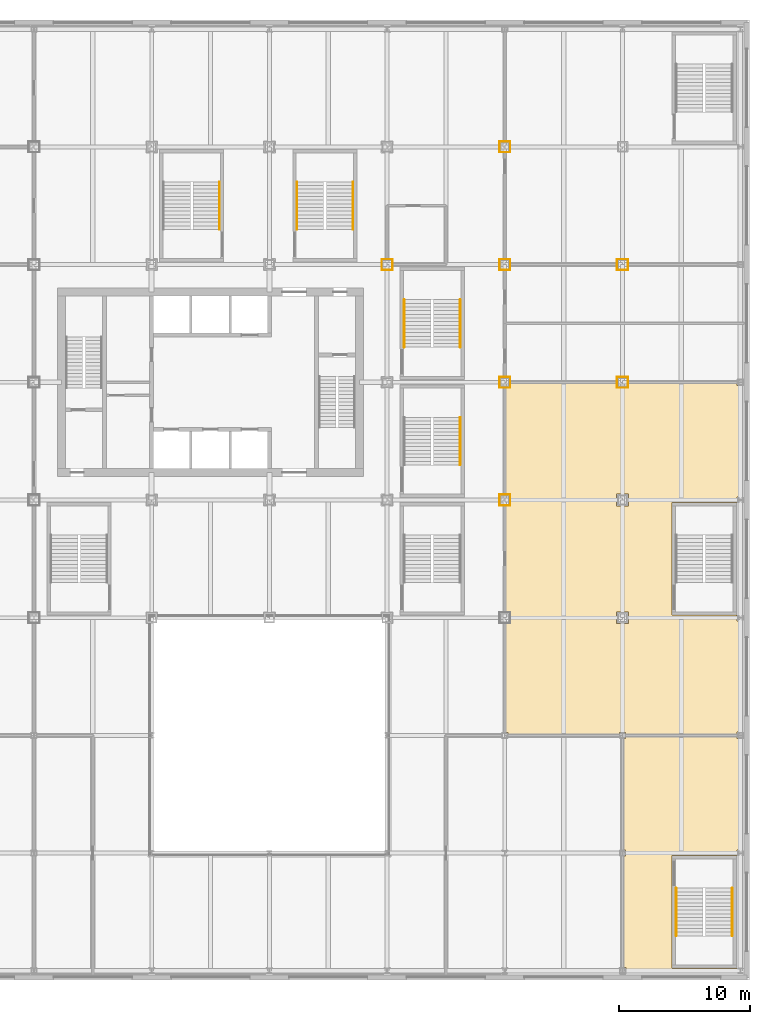
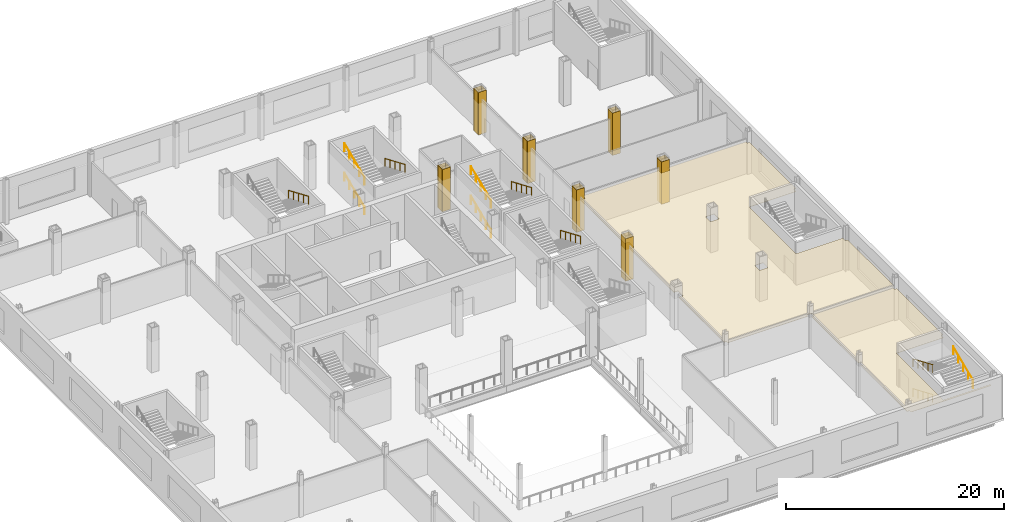
# One storey, part 27 of 31: 30 coverings, 11 railings.
"""IFC4 building model written with IfcOpenShell, lengths in metres."""

from ifc_helpers import new_model, si_unit, direction, frame, origin, origin_2d, place, context, subcontext, project, spatial, polyline, rectangle, circle, outline, extrude, material, layer, layer_set, type_object, element, save


model = new_model("IFC4")

# Units and contexts
model_context = context("Model", 3, precision=1e-05, world=origin(), true_north=direction((0.0, 1.0)))
body_context = subcontext(model_context, "Body", "Model", "MODEL_VIEW")
ifc_project = project(units=[si_unit("LENGTHUNIT", "METRE"), si_unit("AREAUNIT", "SQUARE_METRE"), si_unit("VOLUMEUNIT", "CUBIC_METRE"), si_unit("PLANEANGLEUNIT", "RADIAN"), si_unit("MASSUNIT", "GRAM", prefix="KILO")], contexts=[model_context])

# Site, building, storey
site_placement = place(None, origin())
site = spatial("IfcSite", under=ifc_project, at=site_placement, CompositionType="ELEMENT")
building_placement = place(site_placement, origin())
building = spatial("IfcBuilding", under=site, at=building_placement, Name="Loomwork Tower", CompositionType="ELEMENT")
storey_placement = place(building_placement, frame((0.0, 0.0, 11.0)))
storey = spatial("IfcBuildingStorey", under=building, at=storey_placement, Name="L02", CompositionType="ELEMENT", Elevation=11.0)

# Coverings
ifc_material_1 = material(Name="Two-hour fire-rated gypsum board casing")
ifc_layer_1 = layer(ifc_material_1, 0.02490234375)
ifc_layer_set_1 = layer_set([ifc_layer_1], Name="Column fire casing 25")
covering_type_1 = type_object("IfcCoveringType", Name="Column fire casing 25", PredefinedType="CLADDING", material=ifc_layer_set_1)
for number, where, z_axis, x_axis, name in (
    (1, (36.0, 27.41259765625, 0.0), (0.0, 0.0, 1.0), (1.0, 0.0, 0.0), "Column casing 36 27 L02"),
    (2, (36.0, 26.58740234375, 0.0), (0.0, 0.0, 1.0), (1.0, 0.0, 0.0), "Column casing 36 27 L02"),
):
    element("IfcCovering", number, at=place(storey_placement, frame(where, z_axis=z_axis, x_axis=x_axis)), inside=storey, type_object=covering_type_1, Name=name, PredefinedType="CLADDING", context=body_context, shape_type="SweptSolid", body=[
        extrude(rectangle(XDim=0.85009765625, YDim=0.02490234375, at=origin_2d()), origin(), (0.0, 0.0, 1.0), 4.75),
    ])
for number, where, z_axis, x_axis, name in (
    (3, (36.41259765625, 27.0, 0.0), (0.0, 0.0, 1.0), (1.0, 0.0, 0.0), "Column casing 36 27 L02"),
    (4, (35.58740234375, 27.0, 0.0), (0.0, 0.0, 1.0), (1.0, 0.0, 0.0), "Column casing 36 27 L02"),
):
    element("IfcCovering", number, at=place(storey_placement, frame(where, z_axis=z_axis, x_axis=x_axis)), inside=storey, type_object=covering_type_1, Name=name, PredefinedType="CLADDING", context=body_context, shape_type="SweptSolid", body=[
        extrude(rectangle(XDim=0.02490234375, YDim=0.800048828125, at=origin_2d()), origin(), (0.0, 0.0, 1.0), 4.75),
    ])
for number, where, z_axis, x_axis, name in (
    (5, (45.0, 9.41259765625, 0.0), (0.0, 0.0, 1.0), (1.0, 0.0, 0.0), "Column casing 45 9 L02"),
    (6, (45.0, 8.58740234375, 0.0), (0.0, 0.0, 1.0), (1.0, 0.0, 0.0), "Column casing 45 9 L02"),
):
    element("IfcCovering", number, at=place(storey_placement, frame(where, z_axis=z_axis, x_axis=x_axis)), inside=storey, type_object=covering_type_1, Name=name, PredefinedType="CLADDING", context=body_context, shape_type="SweptSolid", body=[
        extrude(rectangle(XDim=0.85009765625, YDim=0.02490234375, at=origin_2d()), origin(), (0.0, 0.0, 1.0), 4.75),
    ])
for number, where, z_axis, x_axis, name in (
    (7, (45.41259765625, 9.0, 0.0), (0.0, 0.0, 1.0), (1.0, 0.0, 0.0), "Column casing 45 9 L02"),
    (8, (44.58740234375, 9.0, 0.0), (0.0, 0.0, 1.0), (1.0, 0.0, 0.0), "Column casing 45 9 L02"),
):
    element("IfcCovering", number, at=place(storey_placement, frame(where, z_axis=z_axis, x_axis=x_axis)), inside=storey, type_object=covering_type_1, Name=name, PredefinedType="CLADDING", context=body_context, shape_type="SweptSolid", body=[
        extrude(rectangle(XDim=0.02490234375, YDim=0.800048828125, at=origin_2d()), origin(), (0.0, 0.0, 1.0), 4.75),
    ])
for number, where, z_axis, x_axis, name in (
    (9, (45.0, 18.41259765625, 0.0), (0.0, 0.0, 1.0), (1.0, 0.0, 0.0), "Column casing 45 18 L02"),
    (10, (45.0, 17.58740234375, 0.0), (0.0, 0.0, 1.0), (1.0, 0.0, 0.0), "Column casing 45 18 L02"),
):
    element("IfcCovering", number, at=place(storey_placement, frame(where, z_axis=z_axis, x_axis=x_axis)), inside=storey, type_object=covering_type_1, Name=name, PredefinedType="CLADDING", context=body_context, shape_type="SweptSolid", body=[
        extrude(rectangle(XDim=0.85009765625, YDim=0.02490234375, at=origin_2d()), origin(), (0.0, 0.0, 1.0), 4.75),
    ])
for number, where, z_axis, x_axis, name in (
    (11, (45.41259765625, 18.0, 0.0), (0.0, 0.0, 1.0), (1.0, 0.0, 0.0), "Column casing 45 18 L02"),
    (12, (44.58740234375, 18.0, 0.0), (0.0, 0.0, 1.0), (1.0, 0.0, 0.0), "Column casing 45 18 L02"),
):
    element("IfcCovering", number, at=place(storey_placement, frame(where, z_axis=z_axis, x_axis=x_axis)), inside=storey, type_object=covering_type_1, Name=name, PredefinedType="CLADDING", context=body_context, shape_type="SweptSolid", body=[
        extrude(rectangle(XDim=0.02490234375, YDim=0.800048828125, at=origin_2d()), origin(), (0.0, 0.0, 1.0), 4.75),
    ])
for number, where, z_axis, x_axis, name in (
    (13, (45.0, 27.41259765625, 0.0), (0.0, 0.0, 1.0), (1.0, 0.0, 0.0), "Column casing 45 27 L02"),
    (14, (45.0, 26.58740234375, 0.0), (0.0, 0.0, 1.0), (1.0, 0.0, 0.0), "Column casing 45 27 L02"),
):
    element("IfcCovering", number, at=place(storey_placement, frame(where, z_axis=z_axis, x_axis=x_axis)), inside=storey, type_object=covering_type_1, Name=name, PredefinedType="CLADDING", context=body_context, shape_type="SweptSolid", body=[
        extrude(rectangle(XDim=0.85009765625, YDim=0.02490234375, at=origin_2d()), origin(), (0.0, 0.0, 1.0), 4.75),
    ])
for number, where, z_axis, x_axis, name in (
    (15, (45.41259765625, 27.0, 0.0), (0.0, 0.0, 1.0), (1.0, 0.0, 0.0), "Column casing 45 27 L02"),
    (16, (44.58740234375, 27.0, 0.0), (0.0, 0.0, 1.0), (1.0, 0.0, 0.0), "Column casing 45 27 L02"),
):
    element("IfcCovering", number, at=place(storey_placement, frame(where, z_axis=z_axis, x_axis=x_axis)), inside=storey, type_object=covering_type_1, Name=name, PredefinedType="CLADDING", context=body_context, shape_type="SweptSolid", body=[
        extrude(rectangle(XDim=0.02490234375, YDim=0.800048828125, at=origin_2d()), origin(), (0.0, 0.0, 1.0), 4.75),
    ])
for number, where, z_axis, x_axis, name in (
    (17, (45.0, 36.41259765625, 0.0), (0.0, 0.0, 1.0), (1.0, 0.0, 0.0), "Column casing 45 36 L02"),
    (18, (45.0, 35.58740234375, 0.0), (0.0, 0.0, 1.0), (1.0, 0.0, 0.0), "Column casing 45 36 L02"),
):
    element("IfcCovering", number, at=place(storey_placement, frame(where, z_axis=z_axis, x_axis=x_axis)), inside=storey, type_object=covering_type_1, Name=name, PredefinedType="CLADDING", context=body_context, shape_type="SweptSolid", body=[
        extrude(rectangle(XDim=0.85009765625, YDim=0.02490234375, at=origin_2d()), origin(), (0.0, 0.0, 1.0), 4.75),
    ])
for number, where, z_axis, x_axis, name in (
    (19, (45.41259765625, 36.0, 0.0), (0.0, 0.0, 1.0), (1.0, 0.0, 0.0), "Column casing 45 36 L02"),
    (20, (44.58740234375, 36.0, 0.0), (0.0, 0.0, 1.0), (1.0, 0.0, 0.0), "Column casing 45 36 L02"),
):
    element("IfcCovering", number, at=place(storey_placement, frame(where, z_axis=z_axis, x_axis=x_axis)), inside=storey, type_object=covering_type_1, Name=name, PredefinedType="CLADDING", context=body_context, shape_type="SweptSolid", body=[
        extrude(rectangle(XDim=0.02490234375, YDim=0.800048828125, at=origin_2d()), origin(), (0.0, 0.0, 1.0), 4.75),
    ])
for number, where, z_axis, x_axis, name in (
    (21, (54.0, 18.41259765625, 0.0), (0.0, 0.0, 1.0), (1.0, 0.0, 0.0), "Column casing 54 18 L02"),
    (22, (54.0, 17.58740234375, 0.0), (0.0, 0.0, 1.0), (1.0, 0.0, 0.0), "Column casing 54 18 L02"),
):
    element("IfcCovering", number, at=place(storey_placement, frame(where, z_axis=z_axis, x_axis=x_axis)), inside=storey, type_object=covering_type_1, Name=name, PredefinedType="CLADDING", context=body_context, shape_type="SweptSolid", body=[
        extrude(rectangle(XDim=0.85009765625, YDim=0.02490234375, at=origin_2d()), origin(), (0.0, 0.0, 1.0), 4.75),
    ])
for number, where, z_axis, x_axis, name in (
    (23, (54.41259765625, 18.0, 0.0), (0.0, 0.0, 1.0), (1.0, 0.0, 0.0), "Column casing 54 18 L02"),
    (24, (53.58740234375, 18.0, 0.0), (0.0, 0.0, 1.0), (1.0, 0.0, 0.0), "Column casing 54 18 L02"),
):
    element("IfcCovering", number, at=place(storey_placement, frame(where, z_axis=z_axis, x_axis=x_axis)), inside=storey, type_object=covering_type_1, Name=name, PredefinedType="CLADDING", context=body_context, shape_type="SweptSolid", body=[
        extrude(rectangle(XDim=0.02490234375, YDim=0.800048828125, at=origin_2d()), origin(), (0.0, 0.0, 1.0), 4.75),
    ])
for number, where, z_axis, x_axis, name in (
    (25, (54.0, 27.41259765625, 0.0), (0.0, 0.0, 1.0), (1.0, 0.0, 0.0), "Column casing 54 27 L02"),
    (26, (54.0, 26.58740234375, 0.0), (0.0, 0.0, 1.0), (1.0, 0.0, 0.0), "Column casing 54 27 L02"),
):
    element("IfcCovering", number, at=place(storey_placement, frame(where, z_axis=z_axis, x_axis=x_axis)), inside=storey, type_object=covering_type_1, Name=name, PredefinedType="CLADDING", context=body_context, shape_type="SweptSolid", body=[
        extrude(rectangle(XDim=0.85009765625, YDim=0.02490234375, at=origin_2d()), origin(), (0.0, 0.0, 1.0), 4.75),
    ])
for number, where, z_axis, x_axis, name in (
    (27, (54.41259765625, 27.0, 0.0), (0.0, 0.0, 1.0), (1.0, 0.0, 0.0), "Column casing 54 27 L02"),
    (28, (53.58740234375, 27.0, 0.0), (0.0, 0.0, 1.0), (1.0, 0.0, 0.0), "Column casing 54 27 L02"),
):
    element("IfcCovering", number, at=place(storey_placement, frame(where, z_axis=z_axis, x_axis=x_axis)), inside=storey, type_object=covering_type_1, Name=name, PredefinedType="CLADDING", context=body_context, shape_type="SweptSolid", body=[
        extrude(rectangle(XDim=0.02490234375, YDim=0.800048828125, at=origin_2d()), origin(), (0.0, 0.0, 1.0), 4.75),
    ])

# Railings
ifc_material_2 = material(Name="Stainless steel handrail", Category="steel")
railing_type = type_object("IfcRailingType", Name="Handrail 900", PredefinedType="HANDRAIL", material=ifc_material_2)
railing_1_placement = place(storey_placement, frame((58.110107421875, -20.679931640625, 0.118896484375)))
element("IfcRailing", 29, at=railing_1_placement, inside=storey, type_object=railing_type, Name="Podium stair PS2 handrail flight 1 L02", PredefinedType="HANDRAIL", context=body_context, shape_type="SweptSolid", body=[
    extrude(circle(Radius=0.02392578125, at=origin_2d()), frame((0.0, 0.0, 0.8759765625), z_axis=(0.0, -0.920258693564, 0.391310537706), x_axis=(1.0, 0.0, 0.0)), (0.0, 0.0, 1.0), 3.95556640625),
    extrude(circle(Radius=0.02099609375, at=origin_2d()), origin(), (0.0, 0.0, 1.0), 0.851806640625),
    extrude(circle(Radius=0.02099609375, at=origin_2d()), frame((0.0, -0.91015625, 0.386962890625)), (0.0, 0.0, 1.0), 0.851806640625),
    extrude(circle(Radius=0.02099609375, at=origin_2d()), frame((0.0, -1.820068359375, 0.77392578125)), (0.0, 0.0, 1.0), 0.851806640625),
    extrude(circle(Radius=0.02099609375, at=origin_2d()), frame((0.0, -2.72998046875, 1.160888671875)), (0.0, 0.0, 1.0), 0.851806640625),
    extrude(circle(Radius=0.02099609375, at=origin_2d()), frame((0.0, -3.64013671875, 1.5478515625)), (0.0, 0.0, 1.0), 0.851806640625),
])
railing_2_placement = place(storey_placement, frame((62.389892578125, -24.320068359375, 1.78564453125)))
element("IfcRailing", 30, at=railing_2_placement, inside=storey, type_object=railing_type, Name="Podium stair PS2 handrail flight 2 L02", PredefinedType="HANDRAIL", context=body_context, shape_type="SweptSolid", body=[
    extrude(circle(Radius=0.02392578125, at=origin_2d()), frame((0.0, 0.0, 0.8759765625), z_axis=(0.0, 0.920258693564, 0.391310537706), x_axis=(-1.0, 0.0, 0.0)), (0.0, 0.0, 1.0), 3.95556640625),
    extrude(circle(Radius=0.02099609375, at=origin_2d()), origin(), (0.0, 0.0, 1.0), 0.851806640625),
    extrude(circle(Radius=0.02099609375, at=origin_2d()), frame((0.0, 0.91015625, 0.386962890625)), (0.0, 0.0, 1.0), 0.851806640625),
    extrude(circle(Radius=0.02099609375, at=origin_2d()), frame((0.0, 1.820068359375, 0.77392578125)), (0.0, 0.0, 1.0), 0.851806640625),
    extrude(circle(Radius=0.02099609375, at=origin_2d()), frame((0.0, 2.72998046875, 1.160888671875)), (0.0, 0.0, 1.0), 0.851806640625),
    extrude(circle(Radius=0.02099609375, at=origin_2d()), frame((0.0, 3.64013671875, 1.5478515625)), (0.0, 0.0, 1.0), 0.851806640625),
])
railing_3_placement = place(storey_placement, frame((58.110107421875, -20.679931640625, 3.452392578125)))
element("IfcRailing", 31, at=railing_3_placement, inside=storey, type_object=railing_type, Name="Podium stair PS2 handrail flight 3 L02", PredefinedType="HANDRAIL", context=body_context, shape_type="SweptSolid", body=[
    extrude(circle(Radius=0.02392578125, at=origin_2d()), frame((0.0, 0.0, 0.8759765625), z_axis=(0.0, -0.920280918742, 0.391258265855), x_axis=(1.0, 0.0, 0.0)), (0.0, 0.0, 1.0), 3.95556640625),
    extrude(circle(Radius=0.02099609375, at=origin_2d()), origin(), (0.0, 0.0, 1.0), 0.851806640625),
    extrude(circle(Radius=0.02099609375, at=origin_2d()), frame((0.0, -0.91015625, 0.386962890625)), (0.0, 0.0, 1.0), 0.851806640625),
    extrude(circle(Radius=0.02099609375, at=origin_2d()), frame((0.0, -1.820068359375, 0.77392578125)), (0.0, 0.0, 1.0), 0.851806640625),
    extrude(circle(Radius=0.02099609375, at=origin_2d()), frame((0.0, -2.72998046875, 1.16064453125)), (0.0, 0.0, 1.0), 0.851806640625),
    extrude(circle(Radius=0.02099609375, at=origin_2d()), frame((0.0, -3.64013671875, 1.547607421875)), (0.0, 0.0, 1.0), 0.851806640625),
])
railing_4_placement = place(storey_placement, frame((41.590087890625, 15.320068359375, 1.78564453125)))
element("IfcRailing", 32, at=railing_4_placement, inside=storey, type_object=railing_type, Name="Podium stair PS8 handrail flight 2 L02", PredefinedType="HANDRAIL", context=body_context, shape_type="SweptSolid", body=[
    extrude(circle(Radius=0.02392578125, at=origin_2d()), frame((0.0, 0.0, 0.8759765625), z_axis=(0.0, -0.920258693564, 0.391310537706), x_axis=(1.0, 0.0, 0.0)), (0.0, 0.0, 1.0), 3.95556640625),
    extrude(circle(Radius=0.02099609375, at=origin_2d()), origin(), (0.0, 0.0, 1.0), 0.851806640625),
    extrude(circle(Radius=0.02099609375, at=origin_2d()), frame((0.0, -0.91015625, 0.386962890625)), (0.0, 0.0, 1.0), 0.851806640625),
    extrude(circle(Radius=0.02099609375, at=origin_2d()), frame((0.0, -1.820068359375, 0.77392578125)), (0.0, 0.0, 1.0), 0.851806640625),
    extrude(circle(Radius=0.02099609375, at=origin_2d()), frame((0.0, -2.72998046875, 1.160888671875)), (0.0, 0.0, 1.0), 0.851806640625),
    extrude(circle(Radius=0.02099609375, at=origin_2d()), frame((0.0, -3.64013671875, 1.5478515625)), (0.0, 0.0, 1.0), 0.851806640625),
])
railing_5_placement = place(storey_placement, frame((37.31005859375, 20.679931640625, 0.118896484375)))
element("IfcRailing", 33, at=railing_5_placement, inside=storey, type_object=railing_type, Name="Podium stair PS9 handrail flight 1 L02", PredefinedType="HANDRAIL", context=body_context, shape_type="SweptSolid", body=[
    extrude(circle(Radius=0.02392578125, at=origin_2d()), frame((0.0, 0.0, 0.8759765625), z_axis=(0.0, 0.920258693564, 0.391310537706), x_axis=(-1.0, 0.0, 0.0)), (0.0, 0.0, 1.0), 3.95556640625),
    extrude(circle(Radius=0.02099609375, at=origin_2d()), origin(), (0.0, 0.0, 1.0), 0.851806640625),
    extrude(circle(Radius=0.02099609375, at=origin_2d()), frame((0.0, 0.91015625, 0.386962890625)), (0.0, 0.0, 1.0), 0.851806640625),
    extrude(circle(Radius=0.02099609375, at=origin_2d()), frame((0.0, 1.820068359375, 0.77392578125)), (0.0, 0.0, 1.0), 0.851806640625),
    extrude(circle(Radius=0.02099609375, at=origin_2d()), frame((0.0, 2.72998046875, 1.160888671875)), (0.0, 0.0, 1.0), 0.851806640625),
    extrude(circle(Radius=0.02099609375, at=origin_2d()), frame((0.0, 3.64013671875, 1.5478515625)), (0.0, 0.0, 1.0), 0.851806640625),
])
railing_6_placement = place(storey_placement, frame((41.590087890625, 24.320068359375, 1.78564453125)))
element("IfcRailing", 34, at=railing_6_placement, inside=storey, type_object=railing_type, Name="Podium stair PS9 handrail flight 2 L02", PredefinedType="HANDRAIL", context=body_context, shape_type="SweptSolid", body=[
    extrude(circle(Radius=0.02392578125, at=origin_2d()), frame((0.0, 0.0, 0.8759765625), z_axis=(0.0, -0.920258693564, 0.391310537706), x_axis=(1.0, 0.0, 0.0)), (0.0, 0.0, 1.0), 3.95556640625),
    extrude(circle(Radius=0.02099609375, at=origin_2d()), origin(), (0.0, 0.0, 1.0), 0.851806640625),
    extrude(circle(Radius=0.02099609375, at=origin_2d()), frame((0.0, -0.91015625, 0.386962890625)), (0.0, 0.0, 1.0), 0.851806640625),
    extrude(circle(Radius=0.02099609375, at=origin_2d()), frame((0.0, -1.820068359375, 0.77392578125)), (0.0, 0.0, 1.0), 0.851806640625),
    extrude(circle(Radius=0.02099609375, at=origin_2d()), frame((0.0, -2.72998046875, 1.160888671875)), (0.0, 0.0, 1.0), 0.851806640625),
    extrude(circle(Radius=0.02099609375, at=origin_2d()), frame((0.0, -3.64013671875, 1.5478515625)), (0.0, 0.0, 1.0), 0.851806640625),
])
railing_7_placement = place(storey_placement, frame((37.31005859375, 20.679931640625, 3.452392578125)))
element("IfcRailing", 35, at=railing_7_placement, inside=storey, type_object=railing_type, Name="Podium stair PS9 handrail flight 3 L02", PredefinedType="HANDRAIL", context=body_context, shape_type="SweptSolid", body=[
    extrude(circle(Radius=0.02392578125, at=origin_2d()), frame((0.0, 0.0, 0.8759765625), z_axis=(0.0, 0.920280918742, 0.391258265855), x_axis=(-1.0, 0.0, 0.0)), (0.0, 0.0, 1.0), 3.95556640625),
    extrude(circle(Radius=0.02099609375, at=origin_2d()), origin(), (0.0, 0.0, 1.0), 0.851806640625),
    extrude(circle(Radius=0.02099609375, at=origin_2d()), frame((0.0, 0.91015625, 0.386962890625)), (0.0, 0.0, 1.0), 0.851806640625),
    extrude(circle(Radius=0.02099609375, at=origin_2d()), frame((0.0, 1.820068359375, 0.77392578125)), (0.0, 0.0, 1.0), 0.851806640625),
    extrude(circle(Radius=0.02099609375, at=origin_2d()), frame((0.0, 2.72998046875, 1.16064453125)), (0.0, 0.0, 1.0), 0.851806640625),
    extrude(circle(Radius=0.02099609375, at=origin_2d()), frame((0.0, 3.64013671875, 1.547607421875)), (0.0, 0.0, 1.0), 0.851806640625),
])
railing_8_placement = place(storey_placement, frame((23.18994140625, 33.320068359375, 1.78564453125)))
element("IfcRailing", 36, at=railing_8_placement, inside=storey, type_object=railing_type, Name="Podium stair PS10 handrail flight 2 L02", PredefinedType="HANDRAIL", context=body_context, shape_type="SweptSolid", body=[
    extrude(circle(Radius=0.02392578125, at=origin_2d()), frame((0.0, 0.0, 0.8759765625), z_axis=(0.0, -0.920258693564, 0.391310537706), x_axis=(1.0, 0.0, 0.0)), (0.0, 0.0, 1.0), 3.95556640625),
    extrude(circle(Radius=0.02099609375, at=origin_2d()), origin(), (0.0, 0.0, 1.0), 0.851806640625),
    extrude(circle(Radius=0.02099609375, at=origin_2d()), frame((0.0, -0.91015625, 0.386962890625)), (0.0, 0.0, 1.0), 0.851806640625),
    extrude(circle(Radius=0.02099609375, at=origin_2d()), frame((0.0, -1.820068359375, 0.77392578125)), (0.0, 0.0, 1.0), 0.851806640625),
    extrude(circle(Radius=0.02099609375, at=origin_2d()), frame((0.0, -2.72998046875, 1.160888671875)), (0.0, 0.0, 1.0), 0.851806640625),
    extrude(circle(Radius=0.02099609375, at=origin_2d()), frame((0.0, -3.64013671875, 1.5478515625)), (0.0, 0.0, 1.0), 0.851806640625),
])
railing_9_placement = place(storey_placement, frame((29.110107421875, 29.679931640625, 0.118896484375)))
element("IfcRailing", 37, at=railing_9_placement, inside=storey, type_object=railing_type, Name="Podium stair PS11 handrail flight 1 L02", PredefinedType="HANDRAIL", context=body_context, shape_type="SweptSolid", body=[
    extrude(circle(Radius=0.02392578125, at=origin_2d()), frame((0.0, 0.0, 0.8759765625), z_axis=(0.0, 0.920258693564, 0.391310537706), x_axis=(-1.0, 0.0, 0.0)), (0.0, 0.0, 1.0), 3.95556640625),
    extrude(circle(Radius=0.02099609375, at=origin_2d()), origin(), (0.0, 0.0, 1.0), 0.851806640625),
    extrude(circle(Radius=0.02099609375, at=origin_2d()), frame((0.0, 0.91015625, 0.386962890625)), (0.0, 0.0, 1.0), 0.851806640625),
    extrude(circle(Radius=0.02099609375, at=origin_2d()), frame((0.0, 1.820068359375, 0.77392578125)), (0.0, 0.0, 1.0), 0.851806640625),
    extrude(circle(Radius=0.02099609375, at=origin_2d()), frame((0.0, 2.72998046875, 1.160888671875)), (0.0, 0.0, 1.0), 0.851806640625),
    extrude(circle(Radius=0.02099609375, at=origin_2d()), frame((0.0, 3.64013671875, 1.5478515625)), (0.0, 0.0, 1.0), 0.851806640625),
])
railing_10_placement = place(storey_placement, frame((33.389892578125, 33.320068359375, 1.78564453125)))
element("IfcRailing", 38, at=railing_10_placement, inside=storey, type_object=railing_type, Name="Podium stair PS11 handrail flight 2 L02", PredefinedType="HANDRAIL", context=body_context, shape_type="SweptSolid", body=[
    extrude(circle(Radius=0.02392578125, at=origin_2d()), frame((0.0, 0.0, 0.8759765625), z_axis=(0.0, -0.920258693564, 0.391310537706), x_axis=(1.0, 0.0, 0.0)), (0.0, 0.0, 1.0), 3.95556640625),
    extrude(circle(Radius=0.02099609375, at=origin_2d()), origin(), (0.0, 0.0, 1.0), 0.851806640625),
    extrude(circle(Radius=0.02099609375, at=origin_2d()), frame((0.0, -0.91015625, 0.386962890625)), (0.0, 0.0, 1.0), 0.851806640625),
    extrude(circle(Radius=0.02099609375, at=origin_2d()), frame((0.0, -1.820068359375, 0.77392578125)), (0.0, 0.0, 1.0), 0.851806640625),
    extrude(circle(Radius=0.02099609375, at=origin_2d()), frame((0.0, -2.72998046875, 1.160888671875)), (0.0, 0.0, 1.0), 0.851806640625),
    extrude(circle(Radius=0.02099609375, at=origin_2d()), frame((0.0, -3.64013671875, 1.5478515625)), (0.0, 0.0, 1.0), 0.851806640625),
])
railing_11_placement = place(storey_placement, frame((29.110107421875, 29.679931640625, 3.452392578125)))
element("IfcRailing", 39, at=railing_11_placement, inside=storey, type_object=railing_type, Name="Podium stair PS11 handrail flight 3 L02", PredefinedType="HANDRAIL", context=body_context, shape_type="SweptSolid", body=[
    extrude(circle(Radius=0.02392578125, at=origin_2d()), frame((0.0, 0.0, 0.8759765625), z_axis=(0.0, 0.920280918742, 0.391258265855), x_axis=(-1.0, 0.0, 0.0)), (0.0, 0.0, 1.0), 3.95556640625),
    extrude(circle(Radius=0.02099609375, at=origin_2d()), origin(), (0.0, 0.0, 1.0), 0.851806640625),
    extrude(circle(Radius=0.02099609375, at=origin_2d()), frame((0.0, 0.91015625, 0.386962890625)), (0.0, 0.0, 1.0), 0.851806640625),
    extrude(circle(Radius=0.02099609375, at=origin_2d()), frame((0.0, 1.820068359375, 0.77392578125)), (0.0, 0.0, 1.0), 0.851806640625),
    extrude(circle(Radius=0.02099609375, at=origin_2d()), frame((0.0, 2.72998046875, 1.16064453125)), (0.0, 0.0, 1.0), 0.851806640625),
    extrude(circle(Radius=0.02099609375, at=origin_2d()), frame((0.0, 3.64013671875, 1.547607421875)), (0.0, 0.0, 1.0), 0.851806640625),
])

# Coverings
ifc_material_3 = material(Name="Mineral fibre acoustic tile on suspension grid")
ifc_layer_2 = layer(ifc_material_3, 0.02490234375)
ifc_layer_set_2 = layer_set([ifc_layer_2], Name="Suspended acoustic ceiling")
covering_type_2 = type_object("IfcCoveringType", Name="Suspended acoustic ceiling", PredefinedType="CEILING", material=ifc_layer_set_2)
covering_1_placement = place(storey_placement, frame((0.0, 0.0, 3.52490234375)))
element("IfcCovering", 40, at=covering_1_placement, inside=storey, type_object=covering_type_2, Name="Ceiling Meeting room 204 L02", PredefinedType="CEILING", context=body_context, shape_type="SweptSolid", body=[
    extrude(outline(polyline([(62.761962890625, -9.0), (62.761962890625, -9.246826171875), (63.0, -9.246826171875), (63.0, -17.753173828125), (62.761962890625, -17.753173828125), (62.761962890625, -18.199951171875), (57.800048828125, -18.199951171875), (57.800048828125, -26.800048828125), (62.753173828125, -26.800048828125), (62.753173828125, -27.0), (54.25439453125, -27.0), (54.25439453125, -26.73779296875), (54.0, -26.73779296875), (54.0, -18.238037109375), (54.246826171875, -18.238037109375), (54.246826171875, -17.761962890625), (54.0, -17.761962890625), (54.0, -9.238037109375), (54.246826171875, -9.238037109375), (54.246826171875, -9.0), (62.761962890625, -9.0)])), origin(), (0.0, 0.0, 1.0), 0.025146484375),
])
covering_2_placement = place(storey_placement, frame((0.0, 0.0, 3.52490234375)))
element("IfcCovering", 41, at=covering_2_placement, inside=storey, type_object=covering_type_2, Name="Ceiling Business centre L02", PredefinedType="CEILING", context=body_context, shape_type="SweptSolid", body=[
    extrude(outline(polyline([(53.550048828125, 18.0), (53.550048828125, 17.550048828125), (54.449951171875, 17.550048828125), (54.449951171875, 18.0), (62.761962890625, 18.0), (62.761962890625, 17.753173828125), (63.0, 17.753173828125), (63.0, 9.246826171875), (62.761962890625, 9.246826171875), (62.761962890625, 8.800048828125), (57.800048828125, 8.800048828125), (57.800048828125, 0.199951171875), (62.761962890625, 0.199951171875), (62.761962890625, -0.246826171875), (63.0, -0.246826171875), (63.0, -8.753173828125), (62.761962890625, -8.753173828125), (62.761962890625, -9.0), (54.246826171875, -9.0), (54.246826171875, -8.761962890625), (53.753173828125, -8.761962890625), (53.753173828125, -9.0), (45.246826171875, -9.0), (45.246826171875, -8.761962890625), (45.0, -8.761962890625), (45.0, -0.449951171875), (45.449951171875, -0.449951171875), (45.449951171875, 0.449951171875), (45.0, 0.449951171875), (45.0, 8.550048828125), (45.449951171875, 8.550048828125), (45.449951171875, 9.449951171875), (45.0, 9.449951171875), (45.0, 17.550048828125), (45.449951171875, 17.550048828125), (45.449951171875, 18.0), (53.550048828125, 18.0)]), holes=[polyline([(53.550048828125, 0.449951171875), (53.550048828125, -0.449951171875), (54.449951171875, -0.449951171875), (54.449951171875, 0.449951171875), (53.550048828125, 0.449951171875)]), polyline([(53.550048828125, 8.550048828125), (54.449951171875, 8.550048828125), (54.449951171875, 9.449951171875), (53.550048828125, 9.449951171875), (53.550048828125, 8.550048828125)])]), origin(), (0.0, 0.0, 1.0), 0.025146484375),
])

save(model, "model.ifc")
